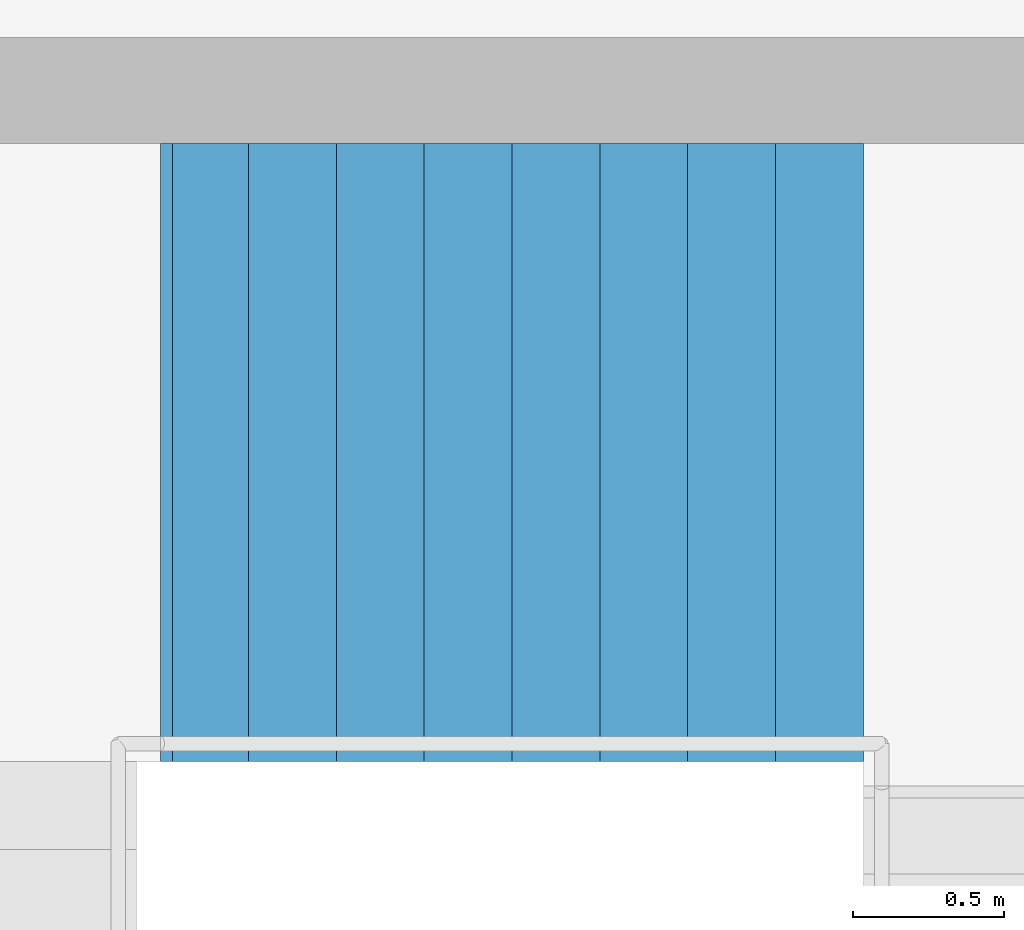
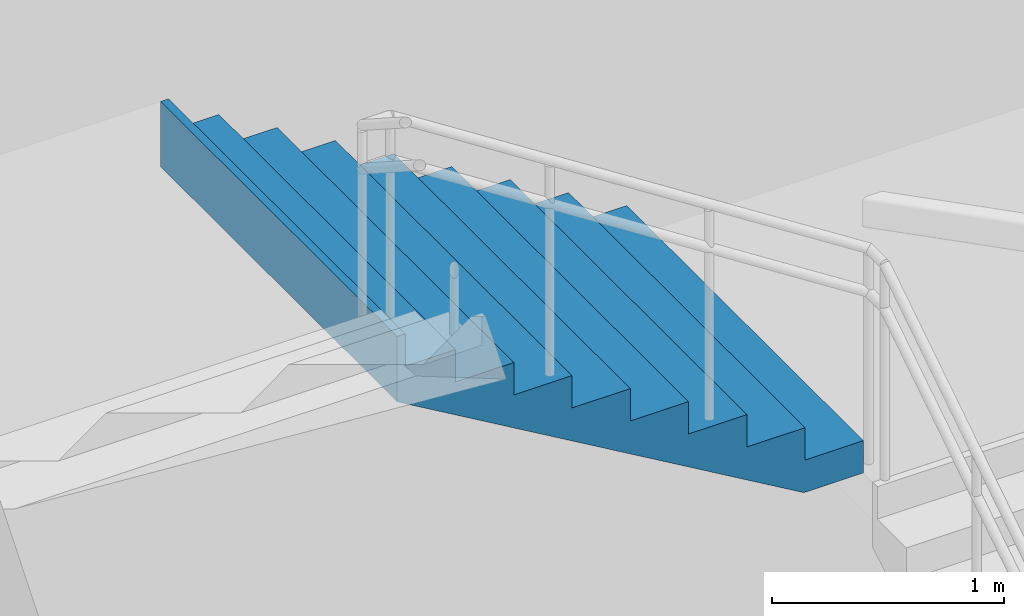
# One storey, part 34 of 46: 1 stair flight, 1 element without a shape of its own.
"""IFC4 building model written with IfcOpenShell, lengths in metres."""

from ifc_helpers import new_model, si_unit, direction, frame, origin, place, context, subcontext, project, spatial, triangles, material, type_object, element, aggregate, save


model = new_model("IFC4")

# Units and contexts
model_context = context("Model", 3, precision=1e-05, world=origin(), true_north=direction((0.0, 1.0)))
body_context = subcontext(model_context, "Body", "Model", "MODEL_VIEW")
ifc_project = project(units=[si_unit("LENGTHUNIT", "METRE"), si_unit("AREAUNIT", "SQUARE_METRE"), si_unit("VOLUMEUNIT", "CUBIC_METRE"), si_unit("PLANEANGLEUNIT", "RADIAN"), si_unit("MASSUNIT", "GRAM", prefix="KILO")], contexts=[model_context])

# Site, building, storey
site_placement = place(None, origin())
site = spatial("IfcSite", under=ifc_project, at=site_placement, CompositionType="ELEMENT")
building_placement = place(site_placement, origin())
building = spatial("IfcBuilding", under=site, at=building_placement, Name="Sillaruma Civic Art Gallery", CompositionType="ELEMENT")
storey_placement = place(building_placement, frame((0.0, 0.0, 16.320068359375)))
storey = spatial("IfcBuildingStorey", under=building, at=storey_placement, Name="L03", CompositionType="ELEMENT", Elevation=16.320068359375)

# Stair, stair flight
ifc_material = material(Name="Concrete H35 (35 MPa)", Category="concrete")
stair_type = type_object("IfcStairType", Name="STR-4F-36", PredefinedType="USERDEFINED", material=ifc_material)
stair_placement = place(storey_placement, origin())
stair = element("IfcStair", 1, at=stair_placement, inside=storey, type_object=stair_type, Name="Protected Exit Stair ST-03 (West Bar South) (L03)", ObjectType="THREE_RETURN_STAIR", PredefinedType="USERDEFINED")
stair_flight_type = type_object("IfcStairFlightType", Name="SFL-STR-9", PredefinedType="STRAIGHT", material=ifc_material)
stair_flight_placement = place(storey_placement, frame((67.199951171875, 36.8701171875, 3.059814453125), z_axis=(0.0, 0.0, 1.0), x_axis=(-1.0, 0.0, 0.0)))
stair_flight = element("IfcStairFlight", 2, at=stair_flight_placement, type_object=stair_flight_type, Name="ST-03 flight 3", NumberOfRisers=9, NumberOfTreads=8, PredefinedType="STRAIGHT", RiserHeight=0.17, TreadLength=0.29, context=body_context, shape_type="Tessellation", body=[
    triangles([(0.0, -1.02001953125, 0.0), (0.29, -1.02001953125, 0.0), (0.296482, -1.02001953125, 0.0), (0.58, -1.02001953125, 0.1662), (0.87, -1.02001953125, 0.3362), (1.16, -1.02001953125, 0.5062), (1.45, -1.02001953125, 0.6762), (1.74, -1.02001953125, 0.8462), (2.03, -1.02001953125, 1.0162), (2.280068, -1.02001953125, 1.162792), (2.320068, -1.02001953125, 1.18624), (2.320068, -1.02001953125, 1.53), (2.280068, -1.02001953125, 1.53), (2.280068, -1.02001953125, 1.36), (2.03, -1.02001953125, 1.36), (2.03, -1.02001953125, 1.19), (1.74, -1.02001953125, 1.19), (1.74, -1.02001953125, 1.02), (1.45, -1.02001953125, 1.02), (1.45, -1.02001953125, 0.85), (1.16, -1.02001953125, 0.85), (1.16, -1.02001953125, 0.68), (0.87, -1.02001953125, 0.68), (0.87, -1.02001953125, 0.51), (0.58, -1.02001953125, 0.51), (0.58, -1.02001953125, 0.34), (0.296482, -1.02001953125, 0.34), (0.29, -1.02001953125, 0.34), (0.29, -1.02001953125, 0.17), (0.0, -1.02001953125, 0.17), (0.0, -0.05, 0.0), (0.29, -0.05, 0.0), (0.296482, -0.05, 0.0), (0.58, -0.05, 0.1662), (0.87, -0.05, 0.3362), (1.16, -0.05, 0.5062), (1.45, -0.05, 0.6762), (1.74, -0.05, 0.8462), (2.03, -0.05, 1.0162), (2.280068, -0.05, 1.162792), (2.320068, -0.05, 1.18624), (2.320068, -0.05, 1.53), (2.280068, -0.05, 1.53), (2.280068, -0.05, 1.36), (2.03, -0.05, 1.36), (2.03, -0.05, 1.19), (1.74, -0.05, 1.19), (1.74, -0.05, 1.02), (1.45, -0.05, 1.02), (1.45, -0.05, 0.85), (1.16, -0.05, 0.85), (1.16, -0.05, 0.68), (0.87, -0.05, 0.68), (0.87, -0.05, 0.51), (0.58, -0.05, 0.51), (0.58, -0.05, 0.34), (0.296482, -0.05, 0.34), (0.29, -0.05, 0.34), (0.29, -0.05, 0.17), (0.0, -0.05, 0.17), (0.0, -0.0375, 0.0), (0.29, -0.0375, 0.0), (0.296482, -0.0375, 0.0), (0.58, -0.0375, 0.1662), (0.87, -0.0375, 0.3362), (1.16, -0.0375, 0.5062), (1.45, -0.0375, 0.6762), (1.74, -0.0375, 0.8462), (2.03, -0.0375, 1.0162), (2.280068, -0.0375, 1.162792), (2.320068, -0.0375, 1.18624), (2.320068, -0.0375, 1.53), (2.280068, -0.0375, 1.53), (2.280068, -0.0375, 1.36), (2.03, -0.0375, 1.36), (2.03, -0.0375, 1.19), (1.74, -0.0375, 1.19), (1.74, -0.0375, 1.02), (1.45, -0.0375, 1.02), (1.45, -0.0375, 0.85), (1.16, -0.0375, 0.85), (1.16, -0.0375, 0.68), (0.87, -0.0375, 0.68), (0.87, -0.0375, 0.51), (0.58, -0.0375, 0.51), (0.58, -0.0375, 0.34), (0.296482, -0.0375, 0.34), (0.29, -0.0375, 0.34), (0.29, -0.0375, 0.17), (0.0, -0.0375, 0.17), (0.0, -0.025, 0.0), (0.29, -0.025, 0.0), (0.296482, -0.025, 0.0), (0.58, -0.025, 0.1662), (0.87, -0.025, 0.3362), (1.16, -0.025, 0.5062), (1.45, -0.025, 0.6762), (1.74, -0.025, 0.8462), (2.03, -0.025, 1.0162), (2.280068, -0.025, 1.162792), (2.320068, -0.025, 1.18624), (2.320068, -0.025, 1.53), (2.280068, -0.025, 1.53), (2.280068, -0.025, 1.36), (2.03, -0.025, 1.36), (2.03, -0.025, 1.19), (1.74, -0.025, 1.19), (1.74, -0.025, 1.02), (1.45, -0.025, 1.02), (1.45, -0.025, 0.85), (1.16, -0.025, 0.85), (1.16, -0.025, 0.68), (0.87, -0.025, 0.68), (0.87, -0.025, 0.51), (0.58, -0.025, 0.51), (0.58, -0.025, 0.34), (0.296482, -0.025, 0.34), (0.29, -0.025, 0.34), (0.29, -0.025, 0.17), (0.0, -0.025, 0.17), (0.0, -0.0125, 0.0), (0.29, -0.0125, 0.0), (0.296482, -0.0125, 0.0), (0.58, -0.0125, 0.1662), (0.87, -0.0125, 0.3362), (1.16, -0.0125, 0.5062), (1.45, -0.0125, 0.6762), (1.74, -0.0125, 0.8462), (2.03, -0.0125, 1.0162), (2.280068, -0.0125, 1.162792), (2.320068, -0.0125, 1.18624), (2.320068, -0.0125, 1.53), (2.280068, -0.0125, 1.53), (2.280068, -0.0125, 1.36), (2.03, -0.0125, 1.36), (2.03, -0.0125, 1.19), (1.74, -0.0125, 1.19), (1.74, -0.0125, 1.02), (1.45, -0.0125, 1.02), (1.45, -0.0125, 0.85), (1.16, -0.0125, 0.85), (1.16, -0.0125, 0.68), (0.87, -0.0125, 0.68), (0.87, -0.0125, 0.51), (0.58, -0.0125, 0.51), (0.58, -0.0125, 0.34), (0.296482, -0.0125, 0.34), (0.29, -0.0125, 0.34), (0.29, -0.0125, 0.17), (0.0, -0.0125, 0.17), (0.0, 0.0, 0.0), (0.29, 0.0, 0.0), (0.296482, 0.0, 0.0), (0.58, 0.0, 0.1662), (0.87, 0.0, 0.3362), (1.16, 0.0, 0.5062), (1.45, 0.0, 0.6762), (1.74, 0.0, 0.8462), (2.03, 0.0, 1.0162), (2.280068, 0.0, 1.162792), (2.320068, 0.0, 1.18624), (2.320068, 0.0, 1.53), (2.280068, 0.0, 1.53), (2.280068, 0.0, 1.36), (2.03, 0.0, 1.36), (2.03, 0.0, 1.19), (1.74, 0.0, 1.19), (1.74, 0.0, 1.02), (1.45, 0.0, 1.02), (1.45, 0.0, 0.85), (1.16, 0.0, 0.85), (1.16, 0.0, 0.68), (0.87, 0.0, 0.68), (0.87, 0.0, 0.51), (0.58, 0.0, 0.51), (0.58, 0.0, 0.34), (0.296482, 0.0, 0.34), (0.29, 0.0, 0.34), (0.29, 0.0, 0.17), (0.0, 0.0, 0.17), (0.0, 0.0125, 0.0), (0.29, 0.0125, 0.0), (0.296482, 0.0125, 0.0), (0.58, 0.0125, 0.1662), (0.87, 0.0125, 0.3362), (1.16, 0.0125, 0.5062), (1.45, 0.0125, 0.6762), (1.74, 0.0125, 0.8462), (2.03, 0.0125, 1.0162), (2.280068, 0.0125, 1.162792), (2.320068, 0.0125, 1.18624), (2.320068, 0.0125, 1.53), (2.280068, 0.0125, 1.53), (2.280068, 0.0125, 1.36), (2.03, 0.0125, 1.36), (2.03, 0.0125, 1.19), (1.74, 0.0125, 1.19), (1.74, 0.0125, 1.02), (1.45, 0.0125, 1.02), (1.45, 0.0125, 0.85), (1.16, 0.0125, 0.85), (1.16, 0.0125, 0.68), (0.87, 0.0125, 0.68), (0.87, 0.0125, 0.51), (0.58, 0.0125, 0.51), (0.58, 0.0125, 0.34), (0.296482, 0.0125, 0.34), (0.29, 0.0125, 0.34), (0.29, 0.0125, 0.17), (0.0, 0.0125, 0.17), (0.0, 0.025, 0.0), (0.29, 0.025, 0.0), (0.296482, 0.025, 0.0), (0.58, 0.025, 0.1662), (0.87, 0.025, 0.3362), (1.16, 0.025, 0.5062), (1.45, 0.025, 0.6762), (1.74, 0.025, 0.8462), (2.03, 0.025, 1.0162), (2.280068, 0.025, 1.162792), (2.320068, 0.025, 1.18624), (2.320068, 0.025, 1.53), (2.280068, 0.025, 1.53), (2.280068, 0.025, 1.36), (2.03, 0.025, 1.36), (2.03, 0.025, 1.19), (1.74, 0.025, 1.19), (1.74, 0.025, 1.02), (1.45, 0.025, 1.02), (1.45, 0.025, 0.85), (1.16, 0.025, 0.85), (1.16, 0.025, 0.68), (0.87, 0.025, 0.68), (0.87, 0.025, 0.51), (0.58, 0.025, 0.51), (0.58, 0.025, 0.34), (0.296482, 0.025, 0.34), (0.29, 0.025, 0.34), (0.29, 0.025, 0.17), (0.0, 0.025, 0.17), (0.0, 0.0375, 0.0), (0.29, 0.0375, 0.0), (0.296482, 0.0375, 0.0), (0.58, 0.0375, 0.1662), (0.87, 0.0375, 0.3362), (1.16, 0.0375, 0.5062), (1.45, 0.0375, 0.6762), (1.74, 0.0375, 0.8462), (2.03, 0.0375, 1.0162), (2.280068, 0.0375, 1.162792), (2.320068, 0.0375, 1.18624), (2.320068, 0.0375, 1.53), (2.280068, 0.0375, 1.53), (2.280068, 0.0375, 1.36), (2.03, 0.0375, 1.36), (2.03, 0.0375, 1.19), (1.74, 0.0375, 1.19), (1.74, 0.0375, 1.02), (1.45, 0.0375, 1.02), (1.45, 0.0375, 0.85), (1.16, 0.0375, 0.85), (1.16, 0.0375, 0.68), (0.87, 0.0375, 0.68), (0.87, 0.0375, 0.51), (0.58, 0.0375, 0.51), (0.58, 0.0375, 0.34), (0.296482, 0.0375, 0.34), (0.29, 0.0375, 0.34), (0.29, 0.0375, 0.17), (0.0, 0.0375, 0.17), (0.0, 0.05, 0.0), (0.29, 0.05, 0.0), (0.296482, 0.05, 0.0), (0.58, 0.05, 0.1662), (0.87, 0.05, 0.3362), (1.16, 0.05, 0.5062), (1.45, 0.05, 0.6762), (1.74, 0.05, 0.8462), (2.03, 0.05, 1.0162), (2.280068, 0.05, 1.162792), (2.320068, 0.05, 1.18624), (2.320068, 0.05, 1.53), (2.280068, 0.05, 1.53), (2.280068, 0.05, 1.36), (2.03, 0.05, 1.36), (2.03, 0.05, 1.19), (1.74, 0.05, 1.19), (1.74, 0.05, 1.02), (1.45, 0.05, 1.02), (1.45, 0.05, 0.85), (1.16, 0.05, 0.85), (1.16, 0.05, 0.68), (0.87, 0.05, 0.68), (0.87, 0.05, 0.51), (0.58, 0.05, 0.51), (0.58, 0.05, 0.34), (0.296482, 0.05, 0.34), (0.29, 0.05, 0.34), (0.29, 0.05, 0.17), (0.0, 0.05, 0.17), (0.0, 1.02001953125, 0.0), (0.29, 1.02001953125, 0.0), (0.296482, 1.02001953125, 0.0), (0.58, 1.02001953125, 0.1662), (0.87, 1.02001953125, 0.3362), (1.16, 1.02001953125, 0.5062), (1.45, 1.02001953125, 0.6762), (1.74, 1.02001953125, 0.8462), (2.03, 1.02001953125, 1.0162), (2.280068, 1.02001953125, 1.162792), (2.320068, 1.02001953125, 1.18624), (2.320068, 1.02001953125, 1.53), (2.280068, 1.02001953125, 1.53), (2.280068, 1.02001953125, 1.36), (2.03, 1.02001953125, 1.36), (2.03, 1.02001953125, 1.19), (1.74, 1.02001953125, 1.19), (1.74, 1.02001953125, 1.02), (1.45, 1.02001953125, 1.02), (1.45, 1.02001953125, 0.85), (1.16, 1.02001953125, 0.85), (1.16, 1.02001953125, 0.68), (0.87, 1.02001953125, 0.68), (0.87, 1.02001953125, 0.51), (0.58, 1.02001953125, 0.51), (0.58, 1.02001953125, 0.34), (0.296482, 1.02001953125, 0.34), (0.29, 1.02001953125, 0.34), (0.29, 1.02001953125, 0.17), (0.0, 1.02001953125, 0.17)], [[1, 2, 29], [1, 29, 30], [2, 3, 27], [2, 27, 29], [29, 27, 28], [3, 4, 26], [3, 26, 27], [4, 5, 24], [4, 24, 26], [26, 24, 25], [5, 6, 22], [5, 22, 24], [24, 22, 23], [6, 7, 20], [6, 20, 22], [22, 20, 21], [7, 8, 18], [7, 18, 20], [20, 18, 19], [8, 9, 16], [8, 16, 18], [18, 16, 17], [9, 10, 14], [9, 14, 16], [16, 14, 15], [10, 11, 12], [10, 12, 14], [14, 12, 13], [329, 302, 301], [330, 329, 301], [327, 303, 302], [329, 327, 302], [328, 327, 329], [326, 304, 303], [327, 326, 303], [324, 305, 304], [326, 324, 304], [325, 324, 326], [322, 306, 305], [324, 322, 305], [323, 322, 324], [320, 307, 306], [322, 320, 306], [321, 320, 322], [318, 308, 307], [320, 318, 307], [319, 318, 320], [316, 309, 308], [318, 316, 308], [317, 316, 318], [314, 310, 309], [316, 314, 309], [315, 314, 316], [312, 311, 310], [314, 312, 310], [313, 312, 314], [2, 1, 31], [2, 31, 32], [3, 2, 32], [3, 32, 33], [4, 3, 33], [4, 33, 34], [5, 4, 34], [5, 34, 35], [6, 5, 35], [6, 35, 36], [7, 6, 36], [7, 36, 37], [8, 7, 37], [8, 37, 38], [9, 8, 38], [9, 38, 39], [10, 9, 39], [10, 39, 40], [11, 10, 40], [11, 40, 41], [12, 11, 41], [12, 41, 42], [13, 12, 42], [13, 42, 43], [14, 13, 43], [14, 43, 44], [15, 14, 44], [15, 44, 45], [16, 15, 45], [16, 45, 46], [17, 16, 46], [17, 46, 47], [18, 17, 47], [18, 47, 48], [19, 18, 48], [19, 48, 49], [20, 19, 49], [20, 49, 50], [21, 20, 50], [21, 50, 51], [22, 21, 51], [22, 51, 52], [23, 22, 52], [23, 52, 53], [24, 23, 53], [24, 53, 54], [25, 24, 54], [25, 54, 55], [26, 25, 55], [26, 55, 56], [27, 26, 56], [27, 56, 57], [28, 27, 57], [28, 57, 58], [29, 28, 58], [29, 58, 59], [30, 29, 59], [30, 59, 60], [1, 30, 60], [1, 60, 31], [32, 31, 61], [32, 61, 62], [33, 32, 62], [33, 62, 63], [34, 33, 63], [34, 63, 64], [35, 34, 64], [35, 64, 65], [36, 35, 65], [36, 65, 66], [37, 36, 66], [37, 66, 67], [38, 37, 67], [38, 67, 68], [39, 38, 68], [39, 68, 69], [40, 39, 69], [40, 69, 70], [41, 40, 70], [41, 70, 71], [42, 41, 71], [42, 71, 72], [43, 42, 72], [43, 72, 73], [44, 43, 73], [44, 73, 74], [45, 44, 74], [45, 74, 75], [46, 45, 75], [46, 75, 76], [47, 46, 76], [47, 76, 77], [48, 47, 77], [48, 77, 78], [49, 48, 78], [49, 78, 79], [50, 49, 79], [50, 79, 80], [51, 50, 80], [51, 80, 81], [52, 51, 81], [52, 81, 82], [53, 52, 82], [53, 82, 83], [54, 53, 83], [54, 83, 84], [55, 54, 84], [55, 84, 85], [56, 55, 85], [56, 85, 86], [57, 56, 86], [57, 86, 87], [58, 57, 87], [58, 87, 88], [59, 58, 88], [59, 88, 89], [60, 59, 89], [60, 89, 90], [31, 60, 90], [31, 90, 61], [62, 61, 91], [62, 91, 92], [63, 62, 92], [63, 92, 93], [64, 63, 93], [64, 93, 94], [65, 64, 94], [65, 94, 95], [66, 65, 95], [66, 95, 96], [67, 66, 96], [67, 96, 97], [68, 67, 97], [68, 97, 98], [69, 68, 98], [69, 98, 99], [70, 69, 99], [70, 99, 100], [71, 70, 100], [71, 100, 101], [72, 71, 101], [72, 101, 102], [73, 72, 102], [73, 102, 103], [74, 73, 103], [74, 103, 104], [75, 74, 104], [75, 104, 105], [76, 75, 105], [76, 105, 106], [77, 76, 106], [77, 106, 107], [78, 77, 107], [78, 107, 108], [79, 78, 108], [79, 108, 109], [80, 79, 109], [80, 109, 110], [81, 80, 110], [81, 110, 111], [82, 81, 111], [82, 111, 112], [83, 82, 112], [83, 112, 113], [84, 83, 113], [84, 113, 114], [85, 84, 114], [85, 114, 115], [86, 85, 115], [86, 115, 116], [87, 86, 116], [87, 116, 117], [88, 87, 117], [88, 117, 118], [89, 88, 118], [89, 118, 119], [90, 89, 119], [90, 119, 120], [61, 90, 120], [61, 120, 91], [92, 91, 121], [92, 121, 122], [93, 92, 122], [93, 122, 123], [94, 93, 123], [94, 123, 124], [95, 94, 124], [95, 124, 125], [96, 95, 125], [96, 125, 126], [97, 96, 126], [97, 126, 127], [98, 97, 127], [98, 127, 128], [99, 98, 128], [99, 128, 129], [100, 99, 129], [100, 129, 130], [101, 100, 130], [101, 130, 131], [102, 101, 131], [102, 131, 132], [103, 102, 132], [103, 132, 133], [104, 103, 133], [104, 133, 134], [105, 104, 134], [105, 134, 135], [106, 105, 135], [106, 135, 136], [107, 106, 136], [107, 136, 137], [108, 107, 137], [108, 137, 138], [109, 108, 138], [109, 138, 139], [110, 109, 139], [110, 139, 140], [111, 110, 140], [111, 140, 141], [112, 111, 141], [112, 141, 142], [113, 112, 142], [113, 142, 143], [114, 113, 143], [114, 143, 144], [115, 114, 144], [115, 144, 145], [116, 115, 145], [116, 145, 146], [117, 116, 146], [117, 146, 147], [118, 117, 147], [118, 147, 148], [119, 118, 148], [119, 148, 149], [120, 119, 149], [120, 149, 150], [91, 120, 150], [91, 150, 121], [122, 121, 151], [122, 151, 152], [123, 122, 152], [123, 152, 153], [124, 123, 153], [124, 153, 154], [125, 124, 154], [125, 154, 155], [126, 125, 155], [126, 155, 156], [127, 126, 156], [127, 156, 157], [128, 127, 157], [128, 157, 158], [129, 128, 158], [129, 158, 159], [130, 129, 159], [130, 159, 160], [131, 130, 160], [131, 160, 161], [132, 131, 161], [132, 161, 162], [133, 132, 162], [133, 162, 163], [134, 133, 163], [134, 163, 164], [135, 134, 164], [135, 164, 165], [136, 135, 165], [136, 165, 166], [137, 136, 166], [137, 166, 167], [138, 137, 167], [138, 167, 168], [139, 138, 168], [139, 168, 169], [140, 139, 169], [140, 169, 170], [141, 140, 170], [141, 170, 171], [142, 141, 171], [142, 171, 172], [143, 142, 172], [143, 172, 173], [144, 143, 173], [144, 173, 174], [145, 144, 174], [145, 174, 175], [146, 145, 175], [146, 175, 176], [147, 146, 176], [147, 176, 177], [148, 147, 177], [148, 177, 178], [149, 148, 178], [149, 178, 179], [150, 149, 179], [150, 179, 180], [121, 150, 180], [121, 180, 151], [152, 151, 181], [152, 181, 182], [153, 152, 182], [153, 182, 183], [154, 153, 183], [154, 183, 184], [155, 154, 184], [155, 184, 185], [156, 155, 185], [156, 185, 186], [157, 156, 186], [157, 186, 187], [158, 157, 187], [158, 187, 188], [159, 158, 188], [159, 188, 189], [160, 159, 189], [160, 189, 190], [161, 160, 190], [161, 190, 191], [162, 161, 191], [162, 191, 192], [163, 162, 192], [163, 192, 193], [164, 163, 193], [164, 193, 194], [165, 164, 194], [165, 194, 195], [166, 165, 195], [166, 195, 196], [167, 166, 196], [167, 196, 197], [168, 167, 197], [168, 197, 198], [169, 168, 198], [169, 198, 199], [170, 169, 199], [170, 199, 200], [171, 170, 200], [171, 200, 201], [172, 171, 201], [172, 201, 202], [173, 172, 202], [173, 202, 203], [174, 173, 203], [174, 203, 204], [175, 174, 204], [175, 204, 205], [176, 175, 205], [176, 205, 206], [177, 176, 206], [177, 206, 207], [178, 177, 207], [178, 207, 208], [179, 178, 208], [179, 208, 209], [180, 179, 209], [180, 209, 210], [151, 180, 210], [151, 210, 181], [182, 181, 211], [182, 211, 212], [183, 182, 212], [183, 212, 213], [184, 183, 213], [184, 213, 214], [185, 184, 214], [185, 214, 215], [186, 185, 215], [186, 215, 216], [187, 186, 216], [187, 216, 217], [188, 187, 217], [188, 217, 218], [189, 188, 218], [189, 218, 219], [190, 189, 219], [190, 219, 220], [191, 190, 220], [191, 220, 221], [192, 191, 221], [192, 221, 222], [193, 192, 222], [193, 222, 223], [194, 193, 223], [194, 223, 224], [195, 194, 224], [195, 224, 225], [196, 195, 225], [196, 225, 226], [197, 196, 226], [197, 226, 227], [198, 197, 227], [198, 227, 228], [199, 198, 228], [199, 228, 229], [200, 199, 229], [200, 229, 230], [201, 200, 230], [201, 230, 231], [202, 201, 231], [202, 231, 232], [203, 202, 232], [203, 232, 233], [204, 203, 233], [204, 233, 234], [205, 204, 234], [205, 234, 235], [206, 205, 235], [206, 235, 236], [207, 206, 236], [207, 236, 237], [208, 207, 237], [208, 237, 238], [209, 208, 238], [209, 238, 239], [210, 209, 239], [210, 239, 240], [181, 210, 240], [181, 240, 211], [212, 211, 241], [212, 241, 242], [213, 212, 242], [213, 242, 243], [214, 213, 243], [214, 243, 244], [215, 214, 244], [215, 244, 245], [216, 215, 245], [216, 245, 246], [217, 216, 246], [217, 246, 247], [218, 217, 247], [218, 247, 248], [219, 218, 248], [219, 248, 249], [220, 219, 249], [220, 249, 250], [221, 220, 250], [221, 250, 251], [222, 221, 251], [222, 251, 252], [223, 222, 252], [223, 252, 253], [224, 223, 253], [224, 253, 254], [225, 224, 254], [225, 254, 255], [226, 225, 255], [226, 255, 256], [227, 226, 256], [227, 256, 257], [228, 227, 257], [228, 257, 258], [229, 228, 258], [229, 258, 259], [230, 229, 259], [230, 259, 260], [231, 230, 260], [231, 260, 261], [232, 231, 261], [232, 261, 262], [233, 232, 262], [233, 262, 263], [234, 233, 263], [234, 263, 264], [235, 234, 264], [235, 264, 265], [236, 235, 265], [236, 265, 266], [237, 236, 266], [237, 266, 267], [238, 237, 267], [238, 267, 268], [239, 238, 268], [239, 268, 269], [240, 239, 269], [240, 269, 270], [211, 240, 270], [211, 270, 241], [242, 241, 271], [242, 271, 272], [243, 242, 272], [243, 272, 273], [244, 243, 273], [244, 273, 274], [245, 244, 274], [245, 274, 275], [246, 245, 275], [246, 275, 276], [247, 246, 276], [247, 276, 277], [248, 247, 277], [248, 277, 278], [249, 248, 278], [249, 278, 279], [250, 249, 279], [250, 279, 280], [251, 250, 280], [251, 280, 281], [252, 251, 281], [252, 281, 282], [253, 252, 282], [253, 282, 283], [254, 253, 283], [254, 283, 284], [255, 254, 284], [255, 284, 285], [256, 255, 285], [256, 285, 286], [257, 256, 286], [257, 286, 287], [258, 257, 287], [258, 287, 288], [259, 258, 288], [259, 288, 289], [260, 259, 289], [260, 289, 290], [261, 260, 290], [261, 290, 291], [262, 261, 291], [262, 291, 292], [263, 262, 292], [263, 292, 293], [264, 263, 293], [264, 293, 294], [265, 264, 294], [265, 294, 295], [266, 265, 295], [266, 295, 296], [267, 266, 296], [267, 296, 297], [268, 267, 297], [268, 297, 298], [269, 268, 298], [269, 298, 299], [270, 269, 299], [270, 299, 300], [241, 270, 300], [241, 300, 271], [272, 271, 301], [272, 301, 302], [273, 272, 302], [273, 302, 303], [274, 273, 303], [274, 303, 304], [275, 274, 304], [275, 304, 305], [276, 275, 305], [276, 305, 306], [277, 276, 306], [277, 306, 307], [278, 277, 307], [278, 307, 308], [279, 278, 308], [279, 308, 309], [280, 279, 309], [280, 309, 310], [281, 280, 310], [281, 310, 311], [282, 281, 311], [282, 311, 312], [283, 282, 312], [283, 312, 313], [284, 283, 313], [284, 313, 314], [285, 284, 314], [285, 314, 315], [286, 285, 315], [286, 315, 316], [287, 286, 316], [287, 316, 317], [288, 287, 317], [288, 317, 318], [289, 288, 318], [289, 318, 319], [290, 289, 319], [290, 319, 320], [291, 290, 320], [291, 320, 321], [292, 291, 321], [292, 321, 322], [293, 292, 322], [293, 322, 323], [294, 293, 323], [294, 323, 324], [295, 294, 324], [295, 324, 325], [296, 295, 325], [296, 325, 326], [297, 296, 326], [297, 326, 327], [298, 297, 327], [298, 327, 328], [299, 298, 328], [299, 328, 329], [300, 299, 329], [300, 329, 330], [271, 300, 330], [271, 330, 301]], closed=True),
])
aggregate(stair, [stair_flight])

save(model, "model.ifc")
